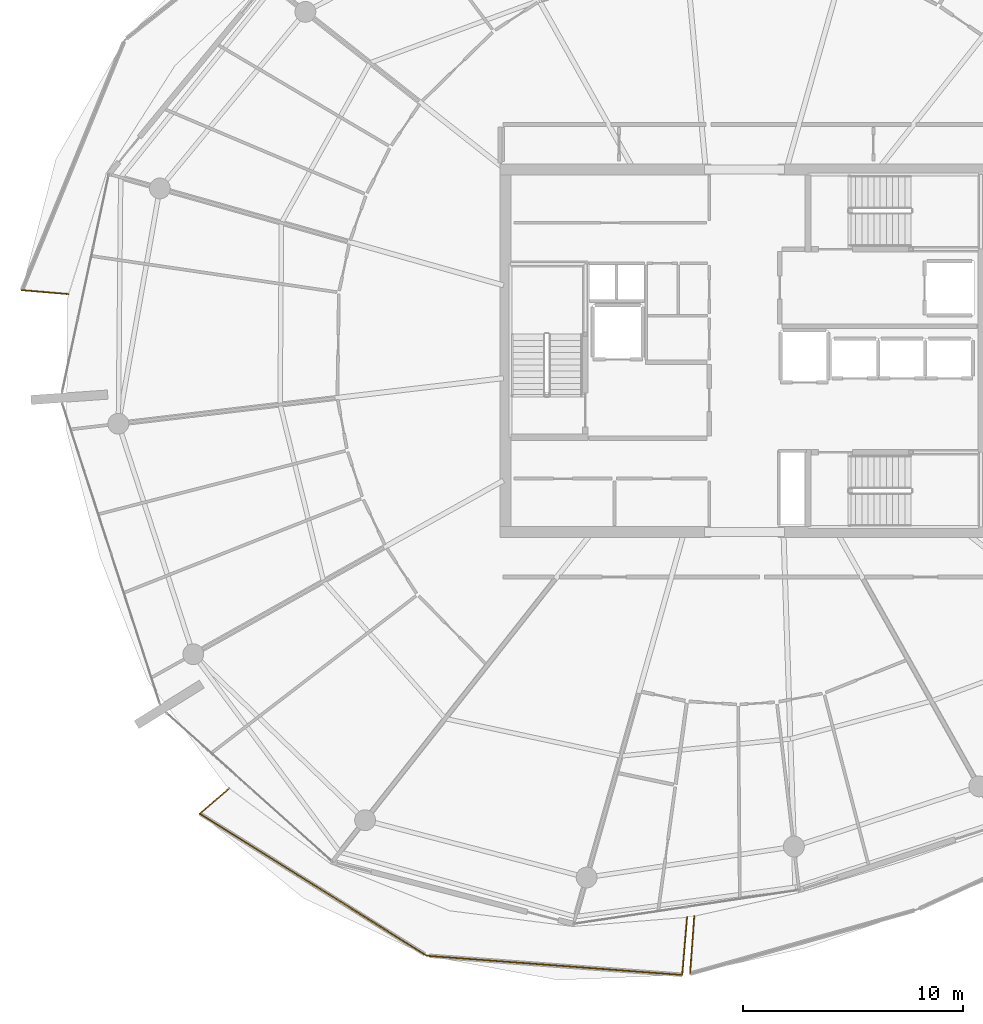
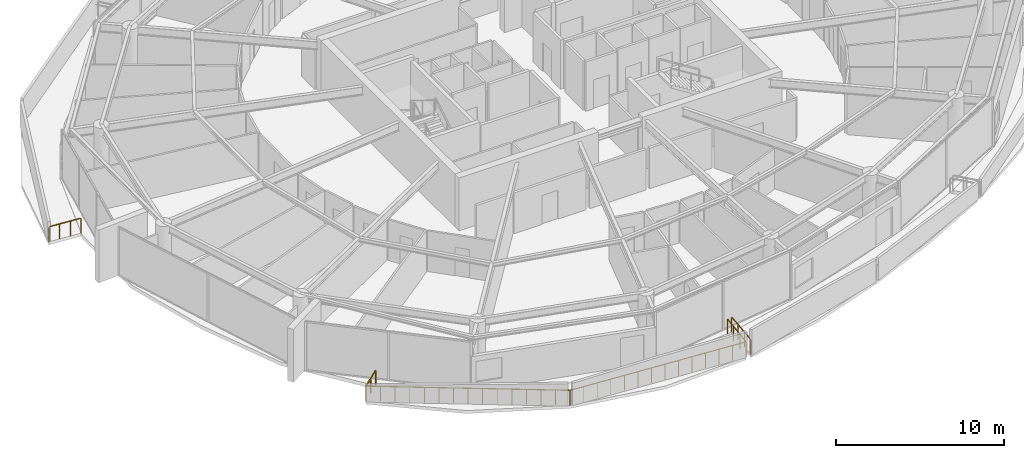
# One storey, part 24 of 30: 6 railings.
"""IFC4 building model written with IfcOpenShell, lengths in metres."""

from ifc_helpers import new_model, si_unit, direction, frame, origin, origin_2d, place, context, subcontext, project, spatial, rectangle, extrude, material, type_object, element, save


model = new_model("IFC4")

# Units and contexts
model_context = context("Model", 3, precision=1e-05, world=origin(), true_north=direction((0.0, 1.0)))
body_context = subcontext(model_context, "Body", "Model", "MODEL_VIEW")
ifc_project = project(units=[si_unit("LENGTHUNIT", "METRE"), si_unit("AREAUNIT", "SQUARE_METRE"), si_unit("VOLUMEUNIT", "CUBIC_METRE"), si_unit("PLANEANGLEUNIT", "RADIAN"), si_unit("MASSUNIT", "GRAM", prefix="KILO")], contexts=[model_context])

# Site, building, storey
site_placement = place(None, origin())
site = spatial("IfcSite", under=ifc_project, at=site_placement, CompositionType="ELEMENT")
building_placement = place(site_placement, origin())
building = spatial("IfcBuilding", under=site, at=building_placement, Name="Kazma Halo Residences", CompositionType="ELEMENT")
storey_placement = place(building_placement, frame((0.0, 0.0, 298.300048828125)))
storey = spatial("IfcBuildingStorey", under=building, at=storey_placement, Name="L75", CompositionType="ELEMENT", Elevation=298.300048828125)

# Railings
ifc_material = material(Name="Aluminium AW-6063 T6 Brushed Cap Rail", Category="aluminium")
railing_type = type_object("IfcRailingType", Name="RLG-BAL-CAP-1120", PredefinedType="BALUSTRADE", material=ifc_material)
railing_1_placement = place(storey_placement, frame((15.527099609375, 44.75537109375, 0.0)))
element("IfcRailing", 1, at=railing_1_placement, inside=storey, type_object=railing_type, Name="L75 NW wave balcony guard 4", PredefinedType="BALUSTRADE", context=body_context, shape_type="SweptSolid", body=[
    extrude(rectangle(XDim=0.050048828125, YDim=0.050048828125, at=origin_2d()), frame((0.04248046875, -0.003662109375, 1.09521484375), z_axis=(0.99641734676, -0.084572283141, 0.0), x_axis=(0.084572283141, 0.99641734676, 0.0)), (0.0, 0.0, 1.0), 2.04541015625),
    extrude(rectangle(XDim=0.0400390625, YDim=0.0400390625, at=origin_2d()), origin(), (0.0, 0.0, 1.0), 1.05810546875),
    extrude(rectangle(XDim=0.0400390625, YDim=0.0400390625, at=origin_2d()), frame((0.70751953125, -0.06005859375, 0.0)), (0.0, 0.0, 1.0), 1.05810546875),
    extrude(rectangle(XDim=0.0400390625, YDim=0.0400390625, at=origin_2d()), frame((1.415283203125, -0.1201171875, 0.0)), (0.0, 0.0, 1.0), 1.05810546875),
    extrude(rectangle(XDim=0.0400390625, YDim=0.0400390625, at=origin_2d()), frame((2.122802734375, -0.18017578125, 0.0)), (0.0, 0.0, 1.0), 1.05810546875),
])
railing_2_placement = place(storey_placement, frame((24.9599609375, 22.0771484375, 0.0)))
element("IfcRailing", 2, at=railing_2_placement, inside=storey, type_object=railing_type, Name="L75 SW wave balcony guard 1", PredefinedType="BALUSTRADE", context=body_context, shape_type="SweptSolid", body=[
    extrude(rectangle(XDim=0.050048828125, YDim=0.050048828125, at=origin_2d()), frame((-0.0322265625, -0.02783203125, 1.09521484375), z_axis=(-0.756439222674, -0.65406398953, 0.0), x_axis=(0.65406398953, -0.756439222674, 0.0)), (0.0, 0.0, 1.0), 1.6748046875),
    extrude(rectangle(XDim=0.0400390625, YDim=0.0400390625, at=origin_2d()), origin(), (0.0, 0.0, 1.0), 1.05810546875),
    extrude(rectangle(XDim=0.0400390625, YDim=0.0400390625, at=origin_2d()), frame((-0.66552734375, -0.57568359375, 0.0)), (0.0, 0.0, 1.0), 1.05810546875),
    extrude(rectangle(XDim=0.0400390625, YDim=0.0400390625, at=origin_2d()), frame((-1.331298828125, -1.151123046875, 0.0)), (0.0, 0.0, 1.0), 1.05810546875),
])
railing_3_placement = place(storey_placement, frame((23.628662109375, 20.926025390625, 0.0)))
element("IfcRailing", 3, at=railing_3_placement, inside=storey, type_object=railing_type, Name="L75 SW wave balcony guard 2", PredefinedType="BALUSTRADE", context=body_context, shape_type="SweptSolid", body=[
    extrude(rectangle(XDim=0.050048828125, YDim=0.050048828125, at=origin_2d()), frame((0.0361328125, -0.0224609375, 1.09521484375), z_axis=(0.847746265353, -0.530401988664, 0.0), x_axis=(0.530401988664, 0.847746265353, 0.0)), (0.0, 0.0, 1.0), 12.109375),
    extrude(rectangle(XDim=0.0400390625, YDim=0.0400390625, at=origin_2d()), origin(), (0.0, 0.0, 1.0), 1.05810546875),
    extrude(rectangle(XDim=0.0400390625, YDim=0.0400390625, at=origin_2d()), frame((0.738525390625, -0.4619140625, 0.0)), (0.0, 0.0, 1.0), 1.05810546875),
    extrude(rectangle(XDim=0.0400390625, YDim=0.0400390625, at=origin_2d()), frame((1.476806640625, -0.924072265625, 0.0)), (0.0, 0.0, 1.0), 1.05810546875),
    extrude(rectangle(XDim=0.0400390625, YDim=0.0400390625, at=origin_2d()), frame((2.21533203125, -1.385986328125, 0.0)), (0.0, 0.0, 1.0), 1.05810546875),
    extrude(rectangle(XDim=0.0400390625, YDim=0.0400390625, at=origin_2d()), frame((2.95361328125, -1.847900390625, 0.0)), (0.0, 0.0, 1.0), 1.05810546875),
    extrude(rectangle(XDim=0.0400390625, YDim=0.0400390625, at=origin_2d()), frame((3.692138671875, -2.31005859375, 0.0)), (0.0, 0.0, 1.0), 1.05810546875),
    extrude(rectangle(XDim=0.0400390625, YDim=0.0400390625, at=origin_2d()), frame((4.430419921875, -2.77197265625, 0.0)), (0.0, 0.0, 1.0), 1.05810546875),
    extrude(rectangle(XDim=0.0400390625, YDim=0.0400390625, at=origin_2d()), frame((5.1689453125, -3.23388671875, 0.0)), (0.0, 0.0, 1.0), 1.05810546875),
    extrude(rectangle(XDim=0.0400390625, YDim=0.0400390625, at=origin_2d()), frame((5.907470703125, -3.696044921875, 0.0)), (0.0, 0.0, 1.0), 1.05810546875),
    extrude(rectangle(XDim=0.0400390625, YDim=0.0400390625, at=origin_2d()), frame((6.645751953125, -4.157958984375, 0.0)), (0.0, 0.0, 1.0), 1.05810546875),
    extrude(rectangle(XDim=0.0400390625, YDim=0.0400390625, at=origin_2d()), frame((7.38427734375, -4.6201171875, 0.0)), (0.0, 0.0, 1.0), 1.05810546875),
    extrude(rectangle(XDim=0.0400390625, YDim=0.0400390625, at=origin_2d()), frame((8.12255859375, -5.08203125, 0.0)), (0.0, 0.0, 1.0), 1.05810546875),
    extrude(rectangle(XDim=0.0400390625, YDim=0.0400390625, at=origin_2d()), frame((8.861083984375, -5.5439453125, 0.0)), (0.0, 0.0, 1.0), 1.05810546875),
    extrude(rectangle(XDim=0.0400390625, YDim=0.0400390625, at=origin_2d()), frame((9.599365234375, -6.006103515625, 0.0)), (0.0, 0.0, 1.0), 1.05810546875),
    extrude(rectangle(XDim=0.0400390625, YDim=0.0400390625, at=origin_2d()), frame((10.337890625, -6.468017578125, 0.0)), (0.0, 0.0, 1.0), 1.05810546875),
])
railing_4_placement = place(storey_placement, frame((33.966552734375, 14.4580078125, 0.0)))
element("IfcRailing", 4, at=railing_4_placement, inside=storey, type_object=railing_type, Name="L75 SW wave balcony guard 3", PredefinedType="BALUSTRADE", context=body_context, shape_type="SweptSolid", body=[
    extrude(rectangle(XDim=0.050048828125, YDim=0.050048828125, at=origin_2d()), frame((0.04248046875, -0.003173828125, 1.09521484375), z_axis=(0.997192197281, -0.074884722625, 0.0), x_axis=(0.074884722625, 0.997192197281, 0.0)), (0.0, 0.0, 1.0), 11.5703125),
    extrude(rectangle(XDim=0.0400390625, YDim=0.0400390625, at=origin_2d()), origin(), (0.0, 0.0, 1.0), 1.05810546875),
    extrude(rectangle(XDim=0.0400390625, YDim=0.0400390625, at=origin_2d()), frame((0.89404296875, -0.067138671875, 0.0)), (0.0, 0.0, 1.0), 1.05810546875),
    extrude(rectangle(XDim=0.0400390625, YDim=0.0400390625, at=origin_2d()), frame((1.7880859375, -0.13427734375, 0.0)), (0.0, 0.0, 1.0), 1.05810546875),
    extrude(rectangle(XDim=0.0400390625, YDim=0.0400390625, at=origin_2d()), frame((2.68212890625, -0.201416015625, 0.0)), (0.0, 0.0, 1.0), 1.05810546875),
    extrude(rectangle(XDim=0.0400390625, YDim=0.0400390625, at=origin_2d()), frame((3.576171875, -0.2685546875, 0.0)), (0.0, 0.0, 1.0), 1.05810546875),
    extrude(rectangle(XDim=0.0400390625, YDim=0.0400390625, at=origin_2d()), frame((4.47021484375, -0.335693359375, 0.0)), (0.0, 0.0, 1.0), 1.05810546875),
    extrude(rectangle(XDim=0.0400390625, YDim=0.0400390625, at=origin_2d()), frame((5.3642578125, -0.40283203125, 0.0)), (0.0, 0.0, 1.0), 1.05810546875),
    extrude(rectangle(XDim=0.0400390625, YDim=0.0400390625, at=origin_2d()), frame((6.25830078125, -0.469970703125, 0.0)), (0.0, 0.0, 1.0), 1.05810546875),
    extrude(rectangle(XDim=0.0400390625, YDim=0.0400390625, at=origin_2d()), frame((7.15234375, -0.537109375, 0.0)), (0.0, 0.0, 1.0), 1.05810546875),
    extrude(rectangle(XDim=0.0400390625, YDim=0.0400390625, at=origin_2d()), frame((8.04638671875, -0.604248046875, 0.0)), (0.0, 0.0, 1.0), 1.05810546875),
    extrude(rectangle(XDim=0.0400390625, YDim=0.0400390625, at=origin_2d()), frame((8.9404296875, -0.67138671875, 0.0)), (0.0, 0.0, 1.0), 1.05810546875),
    extrude(rectangle(XDim=0.0400390625, YDim=0.0400390625, at=origin_2d()), frame((9.83447265625, -0.738525390625, 0.0)), (0.0, 0.0, 1.0), 1.05810546875),
    extrude(rectangle(XDim=0.0400390625, YDim=0.0400390625, at=origin_2d()), frame((10.728515625, -0.8056640625, 0.0)), (0.0, 0.0, 1.0), 1.05810546875),
    extrude(rectangle(XDim=0.0400390625, YDim=0.0400390625, at=origin_2d()), frame((11.62255859375, -0.872802734375, 0.0)), (0.0, 0.0, 1.0), 1.05810546875),
])
railing_5_placement = place(storey_placement, frame((45.589111328125, 13.585205078125, 0.0)))
element("IfcRailing", 5, at=railing_5_placement, inside=storey, type_object=railing_type, Name="L75 SW wave balcony guard 4", PredefinedType="BALUSTRADE", context=body_context, shape_type="SweptSolid", body=[
    extrude(rectangle(XDim=0.050048828125, YDim=0.050048828125, at=origin_2d()), frame((0.003662109375, 0.04248046875, 1.09521484375), z_axis=(0.084474319693, 0.996425656691, 0.0), x_axis=(-0.996425656691, 0.084474319693, 0.0)), (0.0, 0.0, 1.0), 2.544921875),
    extrude(rectangle(XDim=0.0400390625, YDim=0.0400390625, at=origin_2d()), origin(), (0.0, 0.0, 1.0), 1.05810546875),
    extrude(rectangle(XDim=0.0400390625, YDim=0.0400390625, at=origin_2d()), frame((0.073974609375, 0.87353515625, 0.0)), (0.0, 0.0, 1.0), 1.05810546875),
    extrude(rectangle(XDim=0.0400390625, YDim=0.0400390625, at=origin_2d()), frame((0.148193359375, 1.7470703125, 0.0)), (0.0, 0.0, 1.0), 1.05810546875),
    extrude(rectangle(XDim=0.0400390625, YDim=0.0400390625, at=origin_2d()), frame((0.22216796875, 2.62060546875, 0.0)), (0.0, 0.0, 1.0), 1.05810546875),
])
railing_6_placement = place(storey_placement, frame((46.1318359375, 16.25390625, 0.0)))
element("IfcRailing", 6, at=railing_6_placement, inside=storey, type_object=railing_type, Name="L75 SSE wave balcony guard 1", PredefinedType="BALUSTRADE", context=body_context, shape_type="SweptSolid", body=[
    extrude(rectangle(XDim=0.050048828125, YDim=0.050048828125, at=origin_2d()), frame((-0.003173828125, -0.04248046875, 1.09521484375), z_axis=(-0.072350681642, -0.997379255282, 0.0), x_axis=(0.997379255282, -0.072350681642, 0.0)), (0.0, 0.0, 1.0), 2.540283203125),
    extrude(rectangle(XDim=0.0400390625, YDim=0.0400390625, at=origin_2d()), origin(), (0.0, 0.0, 1.0), 1.05810546875),
    extrude(rectangle(XDim=0.0400390625, YDim=0.0400390625, at=origin_2d()), frame((-0.063232421875, -0.872802734375, 0.0)), (0.0, 0.0, 1.0), 1.05810546875),
    extrude(rectangle(XDim=0.0400390625, YDim=0.0400390625, at=origin_2d()), frame((-0.126708984375, -1.74560546875, 0.0)), (0.0, 0.0, 1.0), 1.05810546875),
    extrude(rectangle(XDim=0.0400390625, YDim=0.0400390625, at=origin_2d()), frame((-0.18994140625, -2.618408203125, 0.0)), (0.0, 0.0, 1.0), 1.05810546875),
])

save(model, "model.ifc")
